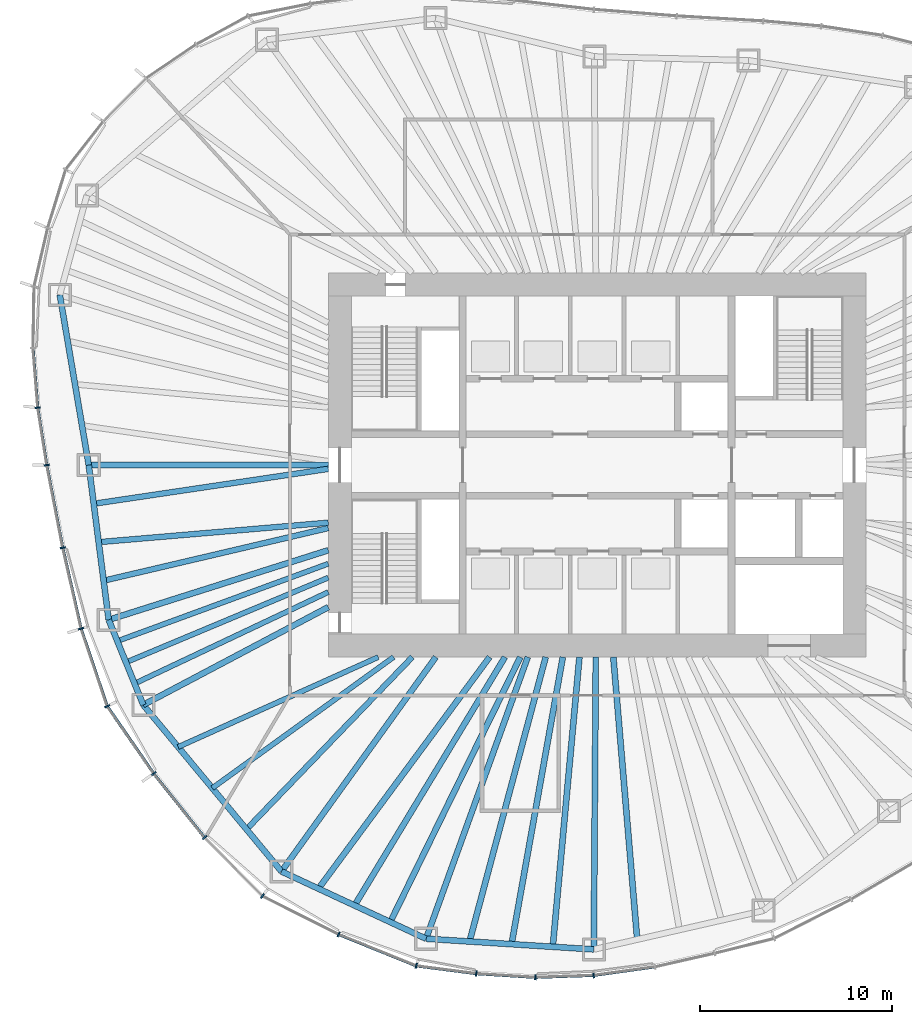
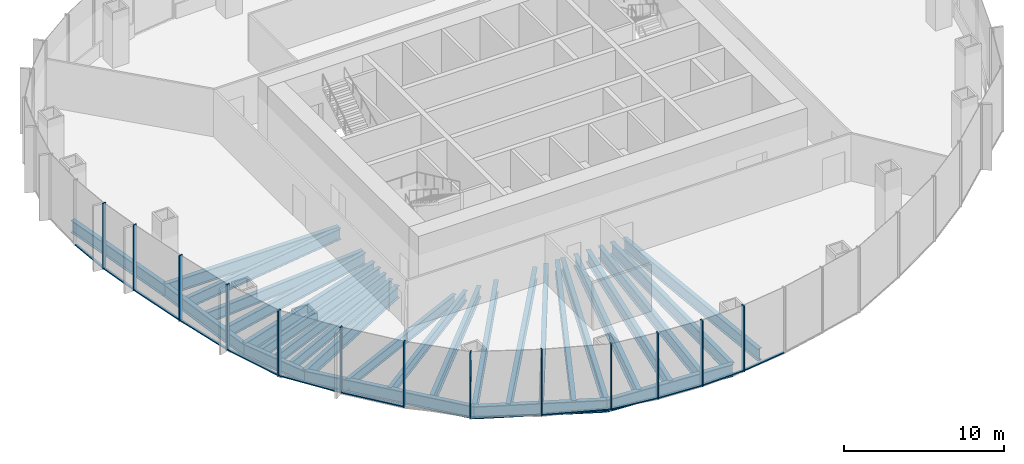
# One storey, part 2 of 18: 28 beams, 25 members, 7 elements without a shape of their own.
"""IFC4 building model written with IfcOpenShell, lengths in metres."""

from ifc_helpers import new_model, si_unit, direction, frame, origin, origin_2d, place, context, subcontext, project, spatial, rectangle, i_section, extrude, material, material_profile, profile_set, type_object, element, aggregate, save


model = new_model("IFC4")

# Units and contexts
model_context = context("Model", 3, precision=1e-05, world=origin(), true_north=direction((0.0, 1.0)))
body_context = subcontext(model_context, "Body", "Model", "MODEL_VIEW")
ifc_project = project(units=[si_unit("LENGTHUNIT", "METRE"), si_unit("AREAUNIT", "SQUARE_METRE"), si_unit("VOLUMEUNIT", "CUBIC_METRE"), si_unit("PLANEANGLEUNIT", "RADIAN"), si_unit("MASSUNIT", "GRAM", prefix="KILO")], contexts=[model_context])

# Site, building, storey
site_placement = place(None, origin())
site = spatial("IfcSite", under=ifc_project, at=site_placement, CompositionType="ELEMENT")
building_placement = place(site_placement, origin())
building = spatial("IfcBuilding", under=site, at=building_placement, Name="Ghaith Harvest Tower", CompositionType="ELEMENT")
storey_placement = place(building_placement, frame((0.0, 0.0, 184.800048828125)))
storey = spatial("IfcBuildingStorey", under=building, at=storey_placement, Name="L40", CompositionType="ELEMENT", Elevation=184.800048828125)

# Curtain wall, member
ifc_material_1 = material(Name="Black anodised aluminium and fritted glass", Category="aluminium")
curtain_wall_type = type_object("IfcCurtainWallType", Name="CW-S CURTAIN WALL", PredefinedType="NOTDEFINED", material=ifc_material_1)
curtain_wall_1_placement = place(storey_placement, origin())
curtain_wall_1 = element("IfcCurtainWall", 1, at=curtain_wall_1_placement, inside=storey, type_object=curtain_wall_type, Name="Curtain wall CW-S bay 10 L40", PredefinedType="NOTDEFINED")
ifc_material_2 = material(Name="Aluminium, black anodised", Category="aluminium")
ifc_material_profile_1 = material_profile(ifc_material_2, rectangle(XDim=0.080078125, YDim=0.280029296875, at=origin_2d()), Name="CW-S MULLION 80x280")
ifc_profile_set_1 = profile_set([ifc_material_profile_1], Name="Aluminium, black anodised")
member_type_1 = type_object("IfcMemberType", Name="CW-S MULLION 80x280", PredefinedType="MULLION", material=ifc_profile_set_1)
member_1_placement = place(storey_placement, frame((-29.131103515625, 2.990478515625, 0.0), z_axis=(0.0, 0.0, 1.0), x_axis=(0.116763791346, -0.993159713757, 0.0)))
member_1 = element("IfcMember", 2, at=member_1_placement, type_object=member_type_1, Name="CW-S mullion 3 bay 10 L40", PredefinedType="MULLION", context=body_context, shape_type="SweptSolid", body=[
    extrude(rectangle(XDim=0.080078125, YDim=0.280029296875, at=origin_2d()), origin(), (0.0, 0.0, 1.0), 5.0),
])

# Curtain wall, members
curtain_wall_2_placement = place(storey_placement, origin())
curtain_wall_2 = element("IfcCurtainWall", 3, at=curtain_wall_2_placement, inside=storey, type_object=curtain_wall_type, Name="Curtain wall CW-S bay 11 L40", PredefinedType="NOTDEFINED")
member_2_placement = place(storey_placement, frame((-28.6611328125, 0.0, 0.0), z_axis=(0.0, 0.0, 1.0), x_axis=(0.175827209372, -0.984421044292, 0.0)))
member_2 = element("IfcMember", 4, at=member_2_placement, type_object=member_type_1, Name="CW-S mullion 1 bay 11 L40", PredefinedType="MULLION", context=body_context, shape_type="SweptSolid", body=[
    extrude(rectangle(XDim=0.080078125, YDim=0.280029296875, at=origin_2d()), origin(), (0.0, 0.0, 1.0), 5.0),
])
member_3_placement = place(storey_placement, frame((-27.828125, -4.30419921875, 0.0), z_axis=(0.0, 0.0, 1.0), x_axis=(0.205176300018, -0.978725030798, 0.0)))
member_3 = element("IfcMember", 5, at=member_3_placement, type_object=member_type_1, Name="CW-S mullion 2 bay 11 L40", PredefinedType="MULLION", context=body_context, shape_type="SweptSolid", body=[
    extrude(rectangle(XDim=0.080078125, YDim=0.280029296875, at=origin_2d()), origin(), (0.0, 0.0, 1.0), 5.0),
])

curtain_wall_3_placement = place(storey_placement, origin())
curtain_wall_3 = element("IfcCurtainWall", 6, at=curtain_wall_3_placement, inside=storey, type_object=curtain_wall_type, Name="Curtain wall CW-S bay 12 L40", PredefinedType="NOTDEFINED")
member_4_placement = place(storey_placement, frame((-26.875732421875, -8.517333984375, 0.0), z_axis=(0.0, 0.0, 1.0), x_axis=(0.270018818005, -0.962855045125, 0.0)))
member_4 = element("IfcMember", 7, at=member_4_placement, type_object=member_type_1, Name="CW-S mullion 1 bay 12 L40", PredefinedType="MULLION", context=body_context, shape_type="SweptSolid", body=[
    extrude(rectangle(XDim=0.080078125, YDim=0.280029296875, at=origin_2d()), origin(), (0.0, 0.0, 1.0), 5.0),
])
member_5_placement = place(storey_placement, frame((-25.513427734375, -12.55810546875, 0.0), z_axis=(0.0, 0.0, 1.0), x_axis=(0.448267068681, -0.893899678452, 0.0)))
member_5 = element("IfcMember", 8, at=member_5_placement, type_object=member_type_1, Name="CW-S mullion 2 bay 12 L40", PredefinedType="MULLION", context=body_context, shape_type="SweptSolid", body=[
    extrude(rectangle(XDim=0.080078125, YDim=0.280029296875, at=origin_2d()), origin(), (0.0, 0.0, 1.0), 5.0),
])

curtain_wall_4_placement = place(storey_placement, origin())
curtain_wall_4 = element("IfcCurtainWall", 9, at=curtain_wall_4_placement, inside=storey, type_object=curtain_wall_type, Name="Curtain wall CW-S bay 13 L40", PredefinedType="NOTDEFINED")
member_6_placement = place(storey_placement, frame((-23.090087890625, -16.066162109375, 0.0), z_axis=(0.0, 0.0, 1.0), x_axis=(0.595740202191, -0.803177198066, 0.0)))
member_6 = element("IfcMember", 10, at=member_6_placement, type_object=member_type_1, Name="CW-S mullion 1 bay 13 L40", PredefinedType="MULLION", context=body_context, shape_type="SweptSolid", body=[
    extrude(rectangle(XDim=0.080078125, YDim=0.280029296875, at=origin_2d()), origin(), (0.0, 0.0, 1.0), 5.0),
])
member_7_placement = place(storey_placement, frame((-20.441162109375, -19.396728515625, 0.0), z_axis=(0.0, 0.0, 1.0), x_axis=(0.663764675537, -0.747941478666, 0.0)))
member_7 = element("IfcMember", 11, at=member_7_placement, type_object=member_type_1, Name="CW-S mullion 2 bay 13 L40", PredefinedType="MULLION", context=body_context, shape_type="SweptSolid", body=[
    extrude(rectangle(XDim=0.080078125, YDim=0.280029296875, at=origin_2d()), origin(), (0.0, 0.0, 1.0), 5.0),
])

curtain_wall_5_placement = place(storey_placement, origin())
curtain_wall_5 = element("IfcCurtainWall", 12, at=curtain_wall_5_placement, inside=storey, type_object=curtain_wall_type, Name="Curtain wall CW-S bay 14 L40", PredefinedType="NOTDEFINED")
member_8_placement = place(storey_placement, frame((-17.430419921875, -22.443603515625, 0.0), z_axis=(0.0, 0.0, 1.0), x_axis=(0.810339399222, -0.585960799089, 0.0)))
member_8 = element("IfcMember", 13, at=member_8_placement, type_object=member_type_1, Name="CW-S mullion 1 bay 14 L40", PredefinedType="MULLION", context=body_context, shape_type="SweptSolid", body=[
    extrude(rectangle(XDim=0.080078125, YDim=0.280029296875, at=origin_2d()), origin(), (0.0, 0.0, 1.0), 5.0),
])
member_9_placement = place(storey_placement, frame((-13.463134765625, -24.4423828125, 0.0), z_axis=(0.0, 0.0, 1.0), x_axis=(0.910648017946, -0.413182995066, 0.0)))
member_9 = element("IfcMember", 14, at=member_9_placement, type_object=member_type_1, Name="CW-S mullion 2 bay 14 L40", PredefinedType="MULLION", context=body_context, shape_type="SweptSolid", body=[
    extrude(rectangle(XDim=0.080078125, YDim=0.280029296875, at=origin_2d()), origin(), (0.0, 0.0, 1.0), 5.0),
])

curtain_wall_6_placement = place(storey_placement, origin())
curtain_wall_6 = element("IfcCurtainWall", 15, at=curtain_wall_6_placement, inside=storey, type_object=curtain_wall_type, Name="Curtain wall CW-S bay 15 L40", PredefinedType="NOTDEFINED")
member_10_placement = place(storey_placement, frame((-9.4189453125, -26.07861328125, 0.0), z_axis=(0.0, 0.0, 1.0), x_axis=(0.961788606004, -0.273793128768, 0.0)))
member_10 = element("IfcMember", 16, at=member_10_placement, type_object=member_type_1, Name="CW-S mullion 1 bay 15 L40", PredefinedType="MULLION", context=body_context, shape_type="SweptSolid", body=[
    extrude(rectangle(XDim=0.080078125, YDim=0.280029296875, at=origin_2d()), origin(), (0.0, 0.0, 1.0), 5.0),
])
member_11_placement = place(storey_placement, frame((-6.29443359375, -26.483154296875, 0.0), z_axis=(0.0, 0.0, 1.0), x_axis=(0.995389243171, -0.095917957546, 0.0)))
member_11 = element("IfcMember", 17, at=member_11_placement, type_object=member_type_1, Name="CW-S mullion 2 bay 15 L40", PredefinedType="MULLION", context=body_context, shape_type="SweptSolid", body=[
    extrude(rectangle(XDim=0.080078125, YDim=0.280029296875, at=origin_2d()), origin(), (0.0, 0.0, 1.0), 5.0),
])
member_12_placement = place(storey_placement, frame((-3.21923828125, -26.676025390625, 0.0), z_axis=(0.0, 0.0, 1.0), x_axis=(0.999890531495, -0.014796115241, 0.0)))
member_12 = element("IfcMember", 18, at=member_12_placement, type_object=member_type_1, Name="CW-S mullion 3 bay 15 L40", PredefinedType="MULLION", context=body_context, shape_type="SweptSolid", body=[
    extrude(rectangle(XDim=0.080078125, YDim=0.280029296875, at=origin_2d()), origin(), (0.0, 0.0, 1.0), 5.0),
])

# Curtain wall, member
curtain_wall_7_placement = place(storey_placement, origin())
curtain_wall_7 = element("IfcCurtainWall", 19, at=curtain_wall_7_placement, inside=storey, type_object=curtain_wall_type, Name="Curtain wall CW-S bay 16 L40", PredefinedType="NOTDEFINED")
member_13_placement = place(storey_placement, frame((-0.181884765625, -26.57373046875, 0.0), z_axis=(0.0, 0.0, 1.0), x_axis=(0.996169227662, 0.087446382772, 0.0)))
member_13 = element("IfcMember", 20, at=member_13_placement, type_object=member_type_1, Name="CW-S mullion 1 bay 16 L40", PredefinedType="MULLION", context=body_context, shape_type="SweptSolid", body=[
    extrude(rectangle(XDim=0.080078125, YDim=0.280029296875, at=origin_2d()), origin(), (0.0, 0.0, 1.0), 5.0),
])

# Member
ifc_material_3 = material(Name="Aluminium, black anodised", Category="aluminium")
ifc_material_profile_2 = material_profile(ifc_material_3, rectangle(XDim=0.159912109375, YDim=0.080078125, at=origin_2d()), Name="CW-S TRANSOM 160x80")
ifc_profile_set_2 = profile_set([ifc_material_profile_2], Name="Aluminium, black anodised")
member_type_2 = type_object("IfcMemberType", Name="CW-S TRANSOM 160x80", PredefinedType="USERDEFINED", material=ifc_profile_set_2)
member_14_placement = place(storey_placement, frame((-29.374755859375, 6.05615234375, 0.0400390625), z_axis=(0.079230491279, -0.996856323274, 0.0), x_axis=(0.996856323274, 0.079230491279, 0.0)))
member_14 = element("IfcMember", 21, at=member_14_placement, type_object=member_type_2, Name="CW-S transom 2 bay 10 L40", ObjectType="TRANSOM", PredefinedType="USERDEFINED", context=body_context, shape_type="SweptSolid", body=[
    extrude(rectangle(XDim=0.159912109375, YDim=0.080078125, at=origin_2d()), origin(), (0.0, 0.0, 1.0), 3.03515625),
])

member_15_placement = place(storey_placement, frame((-29.124755859375, 2.951171875, 0.0400390625), z_axis=(0.155150065502, -0.987890913601, 0.0), x_axis=(0.987890913601, 0.155150065502, 0.0)))
member_15 = element("IfcMember", 22, at=member_15_placement, type_object=member_type_2, Name="CW-S transom 3 bay 10 L40", ObjectType="TRANSOM", PredefinedType="USERDEFINED", context=body_context, shape_type="SweptSolid", body=[
    extrude(rectangle(XDim=0.159912109375, YDim=0.080078125, at=origin_2d()), origin(), (0.0, 0.0, 1.0), 2.947265625),
])

aggregate(curtain_wall_1, [member_14, member_1, member_15])

member_16_placement = place(storey_placement, frame((-28.653564453125, -0.039306640625, 0.0400390625), z_axis=(0.190025434036, -0.981779167848, 0.0), x_axis=(0.981779167848, 0.190025434036, 0.0)))
member_16 = element("IfcMember", 23, at=member_16_placement, type_object=member_type_2, Name="CW-S transom 1 bay 11 L40", ObjectType="TRANSOM", PredefinedType="USERDEFINED", context=body_context, shape_type="SweptSolid", body=[
    extrude(rectangle(XDim=0.159912109375, YDim=0.080078125, at=origin_2d()), origin(), (0.0, 0.0, 1.0), 4.303955078125),
])

member_17_placement = place(storey_placement, frame((-27.8193359375, -4.34326171875, 0.0400390625), z_axis=(0.220508326041, -0.975385092231, 0.0), x_axis=(0.975385092231, 0.220508326041, 0.0)))
member_17 = element("IfcMember", 24, at=member_17_placement, type_object=member_type_2, Name="CW-S transom 2 bay 11 L40", ObjectType="TRANSOM", PredefinedType="USERDEFINED", context=body_context, shape_type="SweptSolid", body=[
    extrude(rectangle(XDim=0.159912109375, YDim=0.080078125, at=origin_2d()), origin(), (0.0, 0.0, 1.0), 4.2392578125),
])

aggregate(curtain_wall_2, [member_2, member_16, member_3, member_17])

member_18_placement = place(storey_placement, frame((-26.863037109375, -8.55517578125, 0.0400390625), z_axis=(0.319499057133, -0.947586593664, 0.0), x_axis=(0.947586593664, 0.319499057133, 0.0)))
member_18 = element("IfcMember", 25, at=member_18_placement, type_object=member_type_2, Name="CW-S transom 1 bay 12 L40", ObjectType="TRANSOM", PredefinedType="USERDEFINED", context=body_context, shape_type="SweptSolid", body=[
    extrude(rectangle(XDim=0.159912109375, YDim=0.080078125, at=origin_2d()), origin(), (0.0, 0.0, 1.0), 4.184326171875),
])

member_19_placement = place(storey_placement, frame((-25.49072265625, -12.591064453125, 0.0400390625), z_axis=(0.568360052499, -0.822779952796, 0.0), x_axis=(0.822779952796, 0.568360052499, 0.0)))
member_19 = element("IfcMember", 26, at=member_19_placement, type_object=member_type_2, Name="CW-S transom 2 bay 12 L40", ObjectType="TRANSOM", PredefinedType="USERDEFINED", context=body_context, shape_type="SweptSolid", body=[
    extrude(rectangle(XDim=0.159912109375, YDim=0.080078125, at=origin_2d()), origin(), (0.0, 0.0, 1.0), 4.183837890625),
])

aggregate(curtain_wall_3, [member_4, member_18, member_5, member_19])

member_20_placement = place(storey_placement, frame((-23.065185546875, -16.09765625, 0.0400390625), z_axis=(0.622510542814, -0.782611413209, 0.0), x_axis=(0.782611413209, 0.622510542814, 0.0)))
member_20 = element("IfcMember", 27, at=member_20_placement, type_object=member_type_2, Name="CW-S transom 1 bay 13 L40", ObjectType="TRANSOM", PredefinedType="USERDEFINED", context=body_context, shape_type="SweptSolid", body=[
    extrude(rectangle(XDim=0.159912109375, YDim=0.080078125, at=origin_2d()), origin(), (0.0, 0.0, 1.0), 4.17529296875),
])

aggregate(curtain_wall_4, [member_6, member_20, member_7])

member_21_placement = place(storey_placement, frame((-13.426025390625, -24.45751953125, 0.0400390625), z_axis=(0.92700297754, -0.375053968959, 0.0), x_axis=(0.375053968959, 0.92700297754, 0.0)))
member_21 = element("IfcMember", 28, at=member_21_placement, type_object=member_type_2, Name="CW-S transom 2 bay 14 L40", ObjectType="TRANSOM", PredefinedType="USERDEFINED", context=body_context, shape_type="SweptSolid", body=[
    extrude(rectangle(XDim=0.159912109375, YDim=0.080078125, at=origin_2d()), origin(), (0.0, 0.0, 1.0), 4.282470703125),
])

aggregate(curtain_wall_5, [member_8, member_9, member_21])

member_22_placement = place(storey_placement, frame((-9.37939453125, -26.083740234375, 0.0400390625), z_axis=(0.991722765635, -0.128397648429, 0.0), x_axis=(0.128397648429, 0.991722765635, 0.0)))
member_22 = element("IfcMember", 29, at=member_22_placement, type_object=member_type_2, Name="CW-S transom 1 bay 15 L40", ObjectType="TRANSOM", PredefinedType="USERDEFINED", context=body_context, shape_type="SweptSolid", body=[
    extrude(rectangle(XDim=0.159912109375, YDim=0.080078125, at=origin_2d()), origin(), (0.0, 0.0, 1.0), 3.07080078125),
])

member_23_placement = place(storey_placement, frame((-6.25439453125, -26.485595703125, 0.0400390625), z_axis=(0.998036402434, -0.062636566132, 0.0), x_axis=(0.062636566132, 0.998036402434, 0.0)))
member_23 = element("IfcMember", 30, at=member_23_placement, type_object=member_type_2, Name="CW-S transom 2 bay 15 L40", ObjectType="TRANSOM", PredefinedType="USERDEFINED", context=body_context, shape_type="SweptSolid", body=[
    extrude(rectangle(XDim=0.159912109375, YDim=0.080078125, at=origin_2d()), origin(), (0.0, 0.0, 1.0), 3.001220703125),
])

member_24_placement = place(storey_placement, frame((-3.17919921875, -26.6748046875, 0.0400390625), z_axis=(0.999430436664, 0.033746144522, 0.0), x_axis=(-0.033746144522, 0.999430436664, 0.0)))
member_24 = element("IfcMember", 31, at=member_24_placement, type_object=member_type_2, Name="CW-S transom 3 bay 15 L40", ObjectType="TRANSOM", PredefinedType="USERDEFINED", context=body_context, shape_type="SweptSolid", body=[
    extrude(rectangle(XDim=0.159912109375, YDim=0.080078125, at=origin_2d()), origin(), (0.0, 0.0, 1.0), 2.958984375),
])

aggregate(curtain_wall_6, [member_10, member_22, member_11, member_23, member_12, member_24])

member_25_placement = place(storey_placement, frame((-0.142333984375, -26.568115234375, 0.0400390625), z_axis=(0.990446640965, 0.137896524254, 0.0), x_axis=(-0.137896524254, 0.990446640965, 0.0)))
member_25 = element("IfcMember", 32, at=member_25_placement, type_object=member_type_2, Name="CW-S transom 1 bay 16 L40", ObjectType="TRANSOM", PredefinedType="USERDEFINED", context=body_context, shape_type="SweptSolid", body=[
    extrude(rectangle(XDim=0.159912109375, YDim=0.080078125, at=origin_2d()), origin(), (0.0, 0.0, 1.0), 3.142578125),
])

aggregate(curtain_wall_7, [member_13, member_25])

# Beams
ifc_material_4 = material(Name="Steel ASTM A992 Grade 50", Category="steel")
ifc_material_profile_3 = material_profile(ifc_material_4, i_section(OverallWidth=0.306884765625, OverallDepth=0.94189453125, WebThickness=0.022216796875, FlangeThickness=0.039794921875, at=origin_2d()), Name="W920X345")
ifc_profile_set_3 = profile_set([ifc_material_profile_3], Name="Steel ASTM A992 Grade 50")
beam_type_1 = type_object("IfcBeamType", Name="E920-345 W920X345", PredefinedType="SPANDREL", material=ifc_profile_set_3)
beam_1_placement = place(storey_placement, frame((-27.98291015625, 8.867919921875, -0.696044921875), z_axis=(0.167624246844, -0.985850958244, 0.0), x_axis=(0.985850958244, 0.167624246844, 0.0)))
element("IfcBeam", 33, at=beam_1_placement, inside=storey, type_object=beam_type_1, Name="Edge beam E10 L40", PredefinedType="SPANDREL", context=body_context, shape_type="SweptSolid", body=[
    extrude(i_section(OverallWidth=0.306884765625, OverallDepth=0.94189453125, WebThickness=0.022216796875, FlangeThickness=0.039794921875, at=origin_2d()), origin(), (0.0, 0.0, 1.0), 8.9951171875),
])
beam_2_placement = place(storey_placement, frame((-26.47509765625, 0.0, -0.696044921875), z_axis=(0.127841715048, -0.991794583517, 0.0), x_axis=(0.991794583517, 0.127841715048, 0.0)))
element("IfcBeam", 34, at=beam_2_placement, inside=storey, type_object=beam_type_1, Name="Edge beam E11 L40", PredefinedType="SPANDREL", context=body_context, shape_type="SweptSolid", body=[
    extrude(i_section(OverallWidth=0.306884765625, OverallDepth=0.94189453125, WebThickness=0.022216796875, FlangeThickness=0.039794921875, at=origin_2d()), origin(), (0.0, 0.0, 1.0), 8.127685546875),
])
beam_3_placement = place(storey_placement, frame((-25.43603515625, -8.06103515625, -0.696044921875), z_axis=(0.376479712052, -0.9264248628, 0.0), x_axis=(0.9264248628, 0.376479712052, 0.0)))
element("IfcBeam", 35, at=beam_3_placement, inside=storey, type_object=beam_type_1, Name="Edge beam E12 L40", PredefinedType="SPANDREL", context=body_context, shape_type="SweptSolid", body=[
    extrude(i_section(OverallWidth=0.306884765625, OverallDepth=0.94189453125, WebThickness=0.022216796875, FlangeThickness=0.039794921875, at=origin_2d()), origin(), (0.0, 0.0, 1.0), 4.783935546875),
])
beam_4_placement = place(storey_placement, frame((-23.635009765625, -12.492919921875, -0.696044921875), z_axis=(0.638719320052, -0.769439815835, 0.0), x_axis=(0.769439815835, 0.638719320052, 0.0)))
element("IfcBeam", 36, at=beam_4_placement, inside=storey, type_object=beam_type_1, Name="Edge beam E13 L40", PredefinedType="SPANDREL", context=body_context, shape_type="SweptSolid", body=[
    extrude(i_section(OverallWidth=0.306884765625, OverallDepth=0.94189453125, WebThickness=0.022216796875, FlangeThickness=0.039794921875, at=origin_2d()), origin(), (0.0, 0.0, 1.0), 11.26953125),
])
beam_5_placement = place(storey_placement, frame((-16.43701171875, -21.1640625, -0.696044921875), z_axis=(0.906607079462, -0.421975832802, 0.0), x_axis=(0.421975832802, 0.906607079462, 0.0)))
element("IfcBeam", 37, at=beam_5_placement, inside=storey, type_object=beam_type_1, Name="Edge beam E14 L40", PredefinedType="SPANDREL", context=body_context, shape_type="SweptSolid", body=[
    extrude(i_section(OverallWidth=0.306884765625, OverallDepth=0.94189453125, WebThickness=0.022216796875, FlangeThickness=0.039794921875, at=origin_2d()), origin(), (0.0, 0.0, 1.0), 8.303466796875),
])
beam_6_placement = place(storey_placement, frame((-8.908935546875, -24.66796875, -0.696044921875), z_axis=(0.99797963184, -0.063534671101, 0.0), x_axis=(0.063534671101, 0.99797963184, 0.0)))
element("IfcBeam", 38, at=beam_6_placement, inside=storey, type_object=beam_type_1, Name="Edge beam E15 L40", PredefinedType="SPANDREL", context=body_context, shape_type="SweptSolid", body=[
    extrude(i_section(OverallWidth=0.306884765625, OverallDepth=0.94189453125, WebThickness=0.022216796875, FlangeThickness=0.039794921875, at=origin_2d()), origin(), (0.0, 0.0, 1.0), 8.75341796875),
])
ifc_material_5 = material(Name="Steel ASTM A992 Grade 50", Category="steel")
ifc_material_profile_4 = material_profile(ifc_material_5, i_section(OverallWidth=0.31005859375, OverallDepth=0.927001953125, WebThickness=0.019287109375, FlangeThickness=0.031982421875, at=origin_2d()), Name="W920X289")
ifc_profile_set_4 = profile_set([ifc_material_profile_4], Name="Steel ASTM A992 Grade 50")
beam_type_2 = type_object("IfcBeamType", Name="G920-289 W920X289", PredefinedType="BEAM", material=ifc_profile_set_4)
beam_7_placement = place(storey_placement, frame((-14.0, 0.0, -0.6884765625), z_axis=(-1.0, 0.0, 0.0), x_axis=(0.0, -1.0, 0.0)))
element("IfcBeam", 39, at=beam_7_placement, inside=storey, type_object=beam_type_2, Name="Radial girder G11 L40", PredefinedType="BEAM", context=body_context, shape_type="SweptSolid", body=[
    extrude(i_section(OverallWidth=0.31005859375, OverallDepth=0.927001953125, WebThickness=0.019287109375, FlangeThickness=0.031982421875, at=origin_2d()), origin(), (0.0, 0.0, 1.0), 12.47509765625),
])
beam_8_placement = place(storey_placement, frame((-14.0, -4.43701171875, -0.6884765625), z_axis=(-0.953279533519, -0.302089607522, 0.0), x_axis=(0.302089607522, -0.953279533519, 0.0)))
element("IfcBeam", 40, at=beam_8_placement, inside=storey, type_object=beam_type_2, Name="Radial girder G12 L40", PredefinedType="BEAM", context=body_context, shape_type="SweptSolid", body=[
    extrude(i_section(OverallWidth=0.31005859375, OverallDepth=0.927001953125, WebThickness=0.019287109375, FlangeThickness=0.031982421875, at=origin_2d()), origin(), (0.0, 0.0, 1.0), 11.99658203125),
])
beam_9_placement = place(storey_placement, frame((-14.0, -7.39990234375, -0.6884765625), z_axis=(-0.884086346066, -0.467323584576, 0.0), x_axis=(0.467323584576, -0.884086346066, 0.0)))
element("IfcBeam", 41, at=beam_9_placement, inside=storey, type_object=beam_type_2, Name="Radial girder G13 L40", PredefinedType="BEAM", context=body_context, shape_type="SweptSolid", body=[
    extrude(i_section(OverallWidth=0.31005859375, OverallDepth=0.927001953125, WebThickness=0.019287109375, FlangeThickness=0.031982421875, at=origin_2d()), origin(), (0.0, 0.0, 1.0), 10.898193359375),
])
ifc_material_6 = material(Name="Steel ASTM A992 Grade 50", Category="steel")
ifc_material_profile_5 = material_profile(ifc_material_6, i_section(OverallWidth=0.306884765625, OverallDepth=0.94189453125, WebThickness=0.022216796875, FlangeThickness=0.039794921875, at=origin_2d()), Name="W920X345")
ifc_profile_set_5 = profile_set([ifc_material_profile_5], Name="Steel ASTM A992 Grade 50")
beam_type_3 = type_object("IfcBeamType", Name="G920-345 W920X345", PredefinedType="BEAM", material=ifc_profile_set_5)
beam_10_placement = place(storey_placement, frame((-8.39990234375, -10.0, -0.696044921875), z_axis=(-0.584256100809, -0.811569349265, 0.0), x_axis=(0.811569349265, -0.584256100809, 0.0)))
element("IfcBeam", 42, at=beam_10_placement, inside=storey, type_object=beam_type_3, Name="Radial girder G14 L40", PredefinedType="BEAM", context=body_context, shape_type="SweptSolid", body=[
    extrude(i_section(OverallWidth=0.306884765625, OverallDepth=0.94189453125, WebThickness=0.022216796875, FlangeThickness=0.039794921875, at=origin_2d()), origin(), (0.0, 0.0, 1.0), 13.756103515625),
])
beam_11_placement = place(storey_placement, frame((-3.61181640625, -10.0, -0.696044921875), z_axis=(-0.339664467784, -0.940546675782, 0.0), x_axis=(0.940546675782, -0.339664467784, 0.0)))
element("IfcBeam", 43, at=beam_11_placement, inside=storey, type_object=beam_type_3, Name="Radial girder G15 L40", PredefinedType="BEAM", context=body_context, shape_type="SweptSolid", body=[
    extrude(i_section(OverallWidth=0.306884765625, OverallDepth=0.94189453125, WebThickness=0.022216796875, FlangeThickness=0.039794921875, at=origin_2d()), origin(), (0.0, 0.0, 1.0), 15.59521484375),
])
beam_12_placement = place(storey_placement, frame((-0.068359375, -10.0, -0.696044921875), z_axis=(-0.006879467722, -0.999976336182, 0.0), x_axis=(0.999976336182, -0.006879467722, 0.0)))
element("IfcBeam", 44, at=beam_12_placement, inside=storey, type_object=beam_type_3, Name="Radial girder G16 L40", PredefinedType="BEAM", context=body_context, shape_type="SweptSolid", body=[
    extrude(i_section(OverallWidth=0.306884765625, OverallDepth=0.94189453125, WebThickness=0.022216796875, FlangeThickness=0.039794921875, at=origin_2d()), origin(), (0.0, 0.0, 1.0), 15.224365234375),
])
ifc_material_7 = material(Name="Steel ASTM A992 Grade 50", Category="steel")
ifc_material_profile_6 = material_profile(ifc_material_7, i_section(OverallWidth=0.26806640625, OverallDepth=0.77001953125, WebThickness=0.015625, FlangeThickness=0.025390625, at=origin_2d()), Name="W760X196")
ifc_profile_set_6 = profile_set([ifc_material_profile_6], Name="Steel ASTM A992 Grade 50")
beam_type_4 = type_object("IfcBeamType", Name="J760-196 W760X196", PredefinedType="JOIST", material=ifc_profile_set_6)
beam_13_placement = place(storey_placement, frame((-14.0, -5.137939453125, -0.610107421875), z_axis=(-0.938774452531, -0.344532331247, 0.0), x_axis=(0.344532331247, -0.938774452531, 0.0)))
element("IfcBeam", 45, at=beam_13_placement, inside=storey, type_object=beam_type_4, Name="Joist J12.1 L40", PredefinedType="JOIST", context=body_context, shape_type="SweptSolid", body=[
    extrude(i_section(OverallWidth=0.26806640625, OverallDepth=0.77001953125, WebThickness=0.015625, FlangeThickness=0.025390625, at=origin_2d()), origin(), (0.0, 0.0, 1.0), 11.7021484375),
])
beam_14_placement = place(storey_placement, frame((-14.0, -5.862548828125, -0.610107421875), z_axis=(-0.922385564947, -0.386270461693, 0.0), x_axis=(0.386270461693, -0.922385564947, 0.0)))
element("IfcBeam", 46, at=beam_14_placement, inside=storey, type_object=beam_type_4, Name="Joist J12.2 L40", PredefinedType="JOIST", context=body_context, shape_type="SweptSolid", body=[
    extrude(i_section(OverallWidth=0.26806640625, OverallDepth=0.77001953125, WebThickness=0.015625, FlangeThickness=0.025390625, at=origin_2d()), origin(), (0.0, 0.0, 1.0), 11.4228515625),
])
beam_15_placement = place(storey_placement, frame((-14.0, -6.614990234375, -0.610107421875), z_axis=(-0.904150042111, -0.427215052815, 0.0), x_axis=(0.427215052815, -0.904150042111, 0.0)))
element("IfcBeam", 47, at=beam_15_placement, inside=storey, type_object=beam_type_4, Name="Joist J12.3 L40", PredefinedType="JOIST", context=body_context, shape_type="SweptSolid", body=[
    extrude(i_section(OverallWidth=0.26806640625, OverallDepth=0.77001953125, WebThickness=0.015625, FlangeThickness=0.025390625, at=origin_2d()), origin(), (0.0, 0.0, 1.0), 11.15625),
])
beam_16_placement = place(storey_placement, frame((-11.39990234375, -10.0, -0.610107421875), z_axis=(-0.912147734774, -0.409861574127, 0.0), x_axis=(0.409861574127, -0.912147734774, 0.0)))
element("IfcBeam", 48, at=beam_16_placement, inside=storey, type_object=beam_type_4, Name="Joist J13.1 L40", PredefinedType="JOIST", context=body_context, shape_type="SweptSolid", body=[
    extrude(i_section(OverallWidth=0.26806640625, OverallDepth=0.77001953125, WebThickness=0.015625, FlangeThickness=0.025390625, at=origin_2d()), origin(), (0.0, 0.0, 1.0), 11.421875),
])
beam_17_placement = place(storey_placement, frame((-10.60009765625, -10.0, -0.610107421875), z_axis=(-0.810452010932, -0.5858050341, 0.0), x_axis=(0.5858050341, -0.810452010932, 0.0)))
element("IfcBeam", 49, at=beam_17_placement, inside=storey, type_object=beam_type_4, Name="Joist J13.2 L40", PredefinedType="JOIST", context=body_context, shape_type="SweptSolid", body=[
    extrude(i_section(OverallWidth=0.26806640625, OverallDepth=0.77001953125, WebThickness=0.015625, FlangeThickness=0.025390625, at=origin_2d()), origin(), (0.0, 0.0, 1.0), 11.64794921875),
])
ifc_material_8 = material(Name="Steel ASTM A992 Grade 50", Category="steel")
ifc_material_profile_7 = material_profile(ifc_material_8, i_section(OverallWidth=0.2939453125, OverallDepth=0.85107421875, WebThickness=0.01611328125, FlangeThickness=0.02685546875, at=origin_2d()), Name="W840X226")
ifc_profile_set_7 = profile_set([ifc_material_profile_7], Name="Steel ASTM A992 Grade 50")
beam_type_5 = type_object("IfcBeamType", Name="J840-226 W840X226", PredefinedType="JOIST", material=ifc_profile_set_7)
beam_18_placement = place(storey_placement, frame((-14.0, -0.199951171875, -0.650634765625), z_axis=(-0.989135422742, -0.147007195321, 0.0), x_axis=(0.147007195321, -0.989135422742, 0.0)))
element("IfcBeam", 50, at=beam_18_placement, inside=storey, type_object=beam_type_5, Name="Joist J11.1 L40", PredefinedType="JOIST", context=body_context, shape_type="SweptSolid", body=[
    extrude(i_section(OverallWidth=0.2939453125, OverallDepth=0.85107421875, WebThickness=0.01611328125, FlangeThickness=0.02685546875, at=origin_2d()), origin(), (0.0, 0.0, 1.0), 12.349365234375),
])
beam_19_placement = place(storey_placement, frame((-14.0, -3.0, -0.650634765625), z_axis=(-0.996417474722, -0.0845707755, 0.0), x_axis=(0.0845707755, -0.996417474722, 0.0)))
element("IfcBeam", 51, at=beam_19_placement, inside=storey, type_object=beam_type_5, Name="Joist J11.2 L40", PredefinedType="JOIST", context=body_context, shape_type="SweptSolid", body=[
    extrude(i_section(OverallWidth=0.2939453125, OverallDepth=0.85107421875, WebThickness=0.01611328125, FlangeThickness=0.02685546875, at=origin_2d()), origin(), (0.0, 0.0, 1.0), 12.00048828125),
])
beam_20_placement = place(storey_placement, frame((-14.0, -3.280517578125, -0.650634765625), z_axis=(-0.973624350862, -0.228157014813, 0.0), x_axis=(0.228157014813, -0.973624350862, 0.0)))
element("IfcBeam", 52, at=beam_20_placement, inside=storey, type_object=beam_type_5, Name="Joist J11.3 L40", PredefinedType="JOIST", context=body_context, shape_type="SweptSolid", body=[
    extrude(i_section(OverallWidth=0.2939453125, OverallDepth=0.85107421875, WebThickness=0.01611328125, FlangeThickness=0.02685546875, at=origin_2d()), origin(), (0.0, 0.0, 1.0), 12.015625),
])
beam_21_placement = place(storey_placement, frame((-9.626708984375, -10.0, -0.650634765625), z_axis=(-0.693534641621, -0.720423278963, 0.0), x_axis=(0.720423278963, -0.693534641621, 0.0)))
element("IfcBeam", 53, at=beam_21_placement, inside=storey, type_object=beam_type_5, Name="Joist J13.3 L40", PredefinedType="JOIST", context=body_context, shape_type="SweptSolid", body=[
    extrude(i_section(OverallWidth=0.2939453125, OverallDepth=0.85107421875, WebThickness=0.01611328125, FlangeThickness=0.02685546875, at=origin_2d()), origin(), (0.0, 0.0, 1.0), 12.4482421875),
])
ifc_material_9 = material(Name="Steel ASTM A992 Grade 50", Category="steel")
ifc_material_profile_8 = material_profile(ifc_material_9, i_section(OverallWidth=0.31005859375, OverallDepth=0.927001953125, WebThickness=0.019287109375, FlangeThickness=0.031982421875, at=origin_2d()), Name="W920X289")
ifc_profile_set_8 = profile_set([ifc_material_profile_8], Name="Steel ASTM A992 Grade 50")
beam_type_6 = type_object("IfcBeamType", Name="J920-289 W920X289", PredefinedType="JOIST", material=ifc_profile_set_8)
beam_22_placement = place(storey_placement, frame((-5.60009765625, -10.0, -0.6884765625), z_axis=(-0.59434024765, -0.804213696739, 0.0), x_axis=(0.804213696739, -0.59434024765, 0.0)))
element("IfcBeam", 54, at=beam_22_placement, inside=storey, type_object=beam_type_6, Name="Joist J14.1 L40", PredefinedType="JOIST", context=body_context, shape_type="SweptSolid", body=[
    extrude(i_section(OverallWidth=0.31005859375, OverallDepth=0.927001953125, WebThickness=0.019287109375, FlangeThickness=0.031982421875, at=origin_2d()), origin(), (0.0, 0.0, 1.0), 14.995849609375),
])
beam_23_placement = place(storey_placement, frame((-4.800048828125, -10.0, -0.6884765625), z_axis=(-0.517986442874, -0.855388826791, 0.0), x_axis=(0.855388826791, -0.517986442874, 0.0)))
element("IfcBeam", 55, at=beam_23_placement, inside=storey, type_object=beam_type_6, Name="Joist J14.2 L40", PredefinedType="JOIST", context=body_context, shape_type="SweptSolid", body=[
    extrude(i_section(OverallWidth=0.31005859375, OverallDepth=0.927001953125, WebThickness=0.019287109375, FlangeThickness=0.031982421875, at=origin_2d()), origin(), (0.0, 0.0, 1.0), 15.12158203125),
])
beam_24_placement = place(storey_placement, frame((-4.0, -10.0, -0.6884765625), z_axis=(-0.440562898219, -0.897721745706, 0.0), x_axis=(0.897721745706, -0.440562898219, 0.0)))
element("IfcBeam", 56, at=beam_24_placement, inside=storey, type_object=beam_type_6, Name="Joist J14.3 L40", PredefinedType="JOIST", context=body_context, shape_type="SweptSolid", body=[
    extrude(i_section(OverallWidth=0.31005859375, OverallDepth=0.927001953125, WebThickness=0.019287109375, FlangeThickness=0.031982421875, at=origin_2d()), origin(), (0.0, 0.0, 1.0), 15.372802734375),
])
beam_25_placement = place(storey_placement, frame((-2.677978515625, -10.0, -0.6884765625), z_axis=(-0.258693109612, -0.965959561803, 0.0), x_axis=(0.965959561803, -0.258693109612, 0.0)))
element("IfcBeam", 57, at=beam_25_placement, inside=storey, type_object=beam_type_6, Name="Joist J15.1 L40", PredefinedType="JOIST", context=body_context, shape_type="SweptSolid", body=[
    extrude(i_section(OverallWidth=0.31005859375, OverallDepth=0.927001953125, WebThickness=0.019287109375, FlangeThickness=0.031982421875, at=origin_2d()), origin(), (0.0, 0.0, 1.0), 15.333984375),
])
beam_26_placement = place(storey_placement, frame((-1.785888671875, -10.0, -0.6884765625), z_axis=(-0.175792307544, -0.984427277461, 0.0), x_axis=(0.984427277461, -0.175792307544, 0.0)))
element("IfcBeam", 58, at=beam_26_placement, inside=storey, type_object=beam_type_6, Name="Joist J15.2 L40", PredefinedType="JOIST", context=body_context, shape_type="SweptSolid", body=[
    extrude(i_section(OverallWidth=0.31005859375, OverallDepth=0.927001953125, WebThickness=0.019287109375, FlangeThickness=0.031982421875, at=origin_2d()), origin(), (0.0, 0.0, 1.0), 15.18798828125),
])
beam_27_placement = place(storey_placement, frame((-0.92041015625, -10.0, -0.6884765625), z_axis=(-0.091651457116, -0.995791147987, 0.0), x_axis=(0.995791147987, -0.091651457116, 0.0)))
element("IfcBeam", 59, at=beam_27_placement, inside=storey, type_object=beam_type_6, Name="Joist J15.3 L40", PredefinedType="JOIST", context=body_context, shape_type="SweptSolid", body=[
    extrude(i_section(OverallWidth=0.31005859375, OverallDepth=0.927001953125, WebThickness=0.019287109375, FlangeThickness=0.031982421875, at=origin_2d()), origin(), (0.0, 0.0, 1.0), 15.151611328125),
])
beam_28_placement = place(storey_placement, frame((0.844970703125, -10.0, -0.6884765625), z_axis=(0.084208979751, -0.996448115924, 0.0), x_axis=(0.996448115924, 0.084208979751, 0.0)))
element("IfcBeam", 60, at=beam_28_placement, inside=storey, type_object=beam_type_6, Name="Joist J16.1 L40", PredefinedType="JOIST", context=body_context, shape_type="SweptSolid", body=[
    extrude(i_section(OverallWidth=0.31005859375, OverallDepth=0.927001953125, WebThickness=0.019287109375, FlangeThickness=0.031982421875, at=origin_2d()), origin(), (0.0, 0.0, 1.0), 14.760009765625),
])

save(model, "model.ifc")
